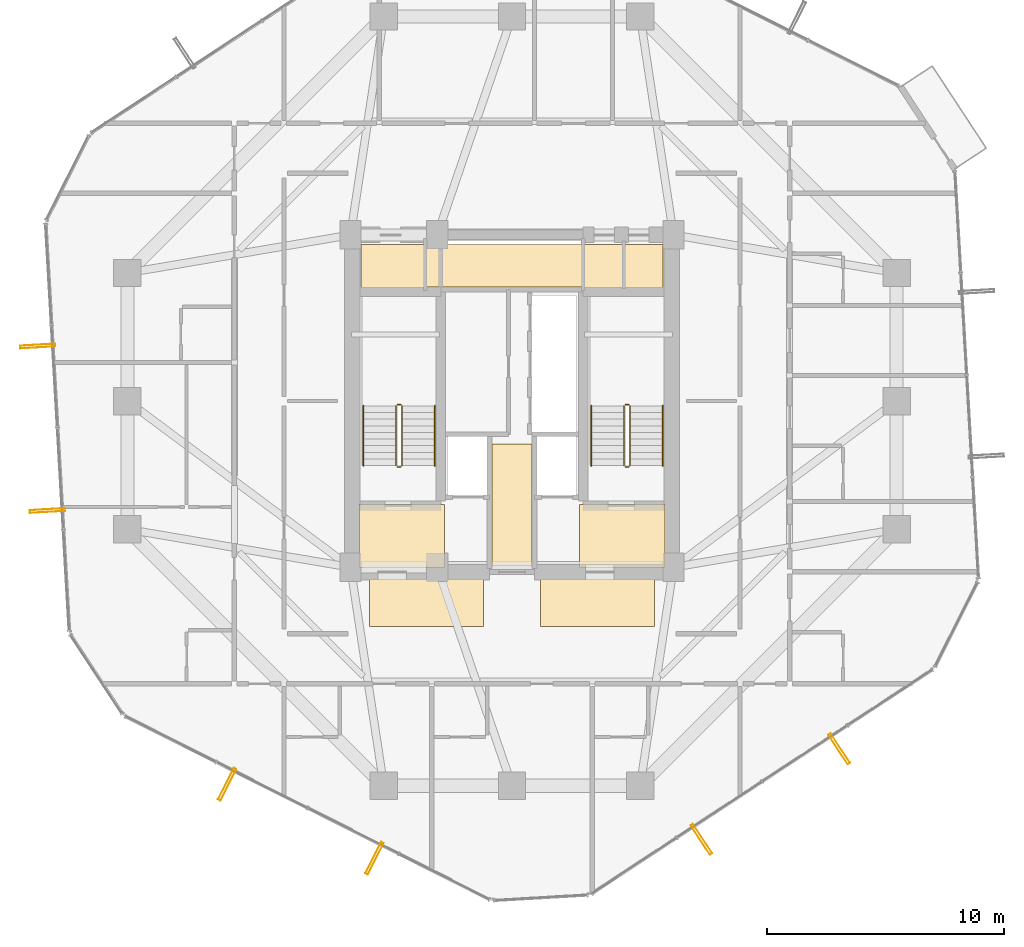
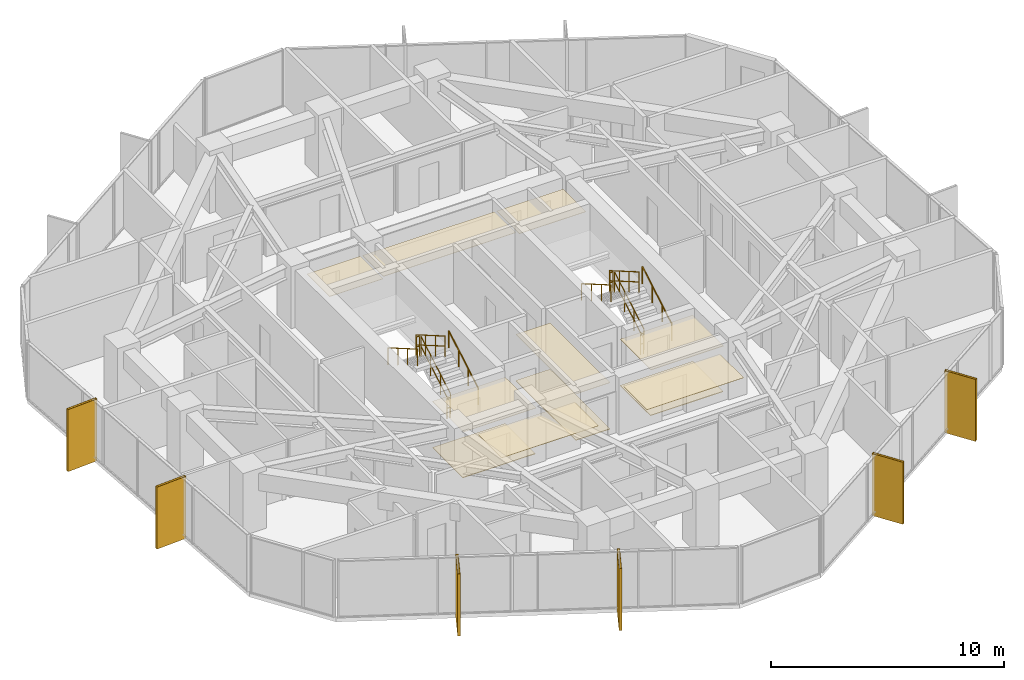
# One storey, part 32 of 33: 12 railings, 11 coverings, 6 shading devices.
"""IFC4 building model written with IfcOpenShell, lengths in metres."""

from ifc_helpers import new_model, si_unit, direction, frame, origin, origin_2d, place, context, subcontext, project, spatial, polyline, hollow_rectangle, circle, outline, extrude, material, layer, layer_set, material_profile, profile_set, type_object, element, save


model = new_model("IFC4")

# Units and contexts
model_context = context("Model", 3, precision=1e-05, world=origin(), true_north=direction((0.0, 1.0)))
body_context = subcontext(model_context, "Body", "Model", "MODEL_VIEW")
ifc_project = project(units=[si_unit("LENGTHUNIT", "METRE"), si_unit("AREAUNIT", "SQUARE_METRE"), si_unit("VOLUMEUNIT", "CUBIC_METRE"), si_unit("PLANEANGLEUNIT", "RADIAN"), si_unit("MASSUNIT", "GRAM", prefix="KILO")], contexts=[model_context])

# Site, building, storey
site_placement = place(None, origin())
site = spatial("IfcSite", under=ifc_project, at=site_placement, CompositionType="ELEMENT")
building_placement = place(site_placement, origin())
building = spatial("IfcBuilding", under=site, at=building_placement, Name="Veraguas Prism Commons", CompositionType="ELEMENT")
storey_placement = place(building_placement, frame((0.0, 0.0, 139.25)))
storey = spatial("IfcBuildingStorey", under=building, at=storey_placement, Name="L39", CompositionType="ELEMENT", Elevation=139.25)

# Shading devices
ifc_material_1 = material(Name="Anodised aluminium EN AW-6063 T6", Category="aluminium")
ifc_material_profile = material_profile(ifc_material_1, hollow_rectangle(XDim=0.1201171875, YDim=1.489990234375, WallThickness=0.006103515625, at=origin_2d()), Name="FIN120X1490X6")
ifc_profile_set = profile_set([ifc_material_profile], Name="Anodised aluminium EN AW-6063 T6")
shading_device_type = type_object("IfcShadingDeviceType", Name="Deep Pale-Metal Vertical Solar Fin 120x1490", PredefinedType="USERDEFINED", material=ifc_profile_set)
for number, where, z_axis, x_axis, name in (
    (1, (4.024658203125, 26.31787109375, -0.22998046875), (0.0, 0.0, 1.0), (0.057910768081, -0.998321763231, 0.0), "Vertical Pale-Metal Solar Fin L39-F3A"),
    (2, (4.4267578125, 19.387939453125, -0.22998046875), (0.0, 0.0, 1.0), (0.057910768081, -0.998321763231, 0.0), "Vertical Pale-Metal Solar Fin L39-F3B"),
    (3, (12.0048828125, 7.860107421875, -0.22998046875), (0.0, 0.0, 1.0), (0.893527392149, -0.449008685305, 0.0), "Vertical Pale-Metal Solar Fin L39-F4A"),
    (4, (18.207763671875, 4.742919921875, -0.22998046875), (0.0, 0.0, 1.0), (0.893527392149, -0.449008685305, 0.0), "Vertical Pale-Metal Solar Fin L39-F4B"),
    (5, (31.980224609375, 5.5419921875, -0.22998046875), (0.0, 0.0, 1.0), (0.835616624068, 0.549313077926, 0.0), "Vertical Pale-Metal Solar Fin L39-F5A"),
    (6, (37.78076171875, 9.35498046875, -0.22998046875), (0.0, 0.0, 1.0), (0.835616624068, 0.549313077926, 0.0), "Vertical Pale-Metal Solar Fin L39-F5B"),
):
    element("IfcShadingDevice", number, at=place(storey_placement, frame(where, z_axis=z_axis, x_axis=x_axis)), inside=storey, type_object=shading_device_type, Name=name, ObjectType="FIN", PredefinedType="USERDEFINED", context=body_context, shape_type="SweptSolid", body=[
        extrude(hollow_rectangle(XDim=0.1201171875, YDim=1.489990234375, WallThickness=0.006103515625, at=origin_2d()), origin(), (0.0, 0.0, 1.0), 3.25),
    ])

# Coverings
ifc_material_2 = material(Name="Acoustic gypsum board")
ifc_layer_1 = layer(ifc_material_2, 0.02490234375, Name="Perforated Acoustic Ceiling Tile 25")
ifc_layer_set_1 = layer_set([ifc_layer_1], Name="Acoustic gypsum board")
covering_type_1 = type_object("IfcCoveringType", Name="Perforated Acoustic Ceiling Tile 25", PredefinedType="USERDEFINED", material=ifc_layer_set_1)
covering_1_placement = place(storey_placement, frame((0.0, 0.0, 2.425048828125)))
element("IfcCovering", 7, at=covering_1_placement, inside=storey, type_object=covering_type_1, Name="East Lobby Acoustic Ceiling L39", ObjectType="ACOUSTIC CEILING", PredefinedType="USERDEFINED", context=body_context, shape_type="SweptSolid", body=[
    extrude(outline(polyline([(26.85009765625, 17.0), (30.449951171875, 17.0), (30.449951171875, 19.64990234375), (26.85009765625, 19.64990234375), (26.85009765625, 17.0)])), origin(), (0.0, 0.0, 1.0), 0.02490234375),
])
ifc_material_3 = material(Name="Terrazzo stone finish", Category="masonry")
ifc_layer_2 = layer(ifc_material_3, 0.030029296875, Name="Polished Terrazzo Floor Finish 30", Category="masonry")
ifc_layer_set_2 = layer_set([ifc_layer_2], Name="Terrazzo stone finish")
covering_type_2 = type_object("IfcCoveringType", Name="Polished Terrazzo Floor Finish 30", PredefinedType="FLOORING", material=ifc_layer_set_2)
covering_2_placement = place(storey_placement, origin())
element("IfcCovering", 8, at=covering_2_placement, inside=storey, type_object=covering_type_2, Name="Terrazzo Lobby Flooring L39", PredefinedType="FLOORING", context=body_context, shape_type="SweptSolid", body=[
    extrude(outline(polyline([(23.14990234375, 17.050048828125), (24.85009765625, 17.050048828125), (24.85009765625, 22.199951171875), (23.14990234375, 22.199951171875), (23.14990234375, 17.050048828125)])), origin(), (0.0, 0.0, 1.0), 0.030029296875),
])
covering_3_placement = place(storey_placement, origin())
element("IfcCovering", 9, at=covering_3_placement, inside=storey, type_object=covering_type_2, Name="West FF Lobby Terrazzo Flooring L39", PredefinedType="FLOORING", context=body_context, shape_type="SweptSolid", body=[
    extrude(outline(polyline([(17.550048828125, 17.050048828125), (21.14990234375, 17.050048828125), (21.14990234375, 19.64990234375), (17.550048828125, 19.64990234375), (17.550048828125, 17.050048828125)])), origin(), (0.0, 0.0, 1.0), 0.030029296875),
])
covering_4_placement = place(storey_placement, origin())
element("IfcCovering", 10, at=covering_4_placement, inside=storey, type_object=covering_type_2, Name="East FF Lobby Terrazzo Flooring L39", PredefinedType="FLOORING", context=body_context, shape_type="SweptSolid", body=[
    extrude(outline(polyline([(26.85009765625, 17.050048828125), (30.449951171875, 17.050048828125), (30.449951171875, 19.64990234375), (26.85009765625, 19.64990234375), (26.85009765625, 17.050048828125)])), origin(), (0.0, 0.0, 1.0), 0.030029296875),
])

# Railings
ifc_material_4 = material(Name="Stainless steel AISI 316", Category="steel")
railing_type_1 = type_object("IfcRailingType", Name="Stair and Ramp Stainless Handrail 900", PredefinedType="HANDRAIL", material=ifc_material_4)
railing_1_placement = place(storey_placement, frame((20.75, 21.280029296875, 0.16259765625)))
element("IfcRailing", 11, at=railing_1_placement, inside=storey, type_object=railing_type_1, Name="Stair Handrail ST-01 L39-1", PredefinedType="HANDRAIL", context=body_context, shape_type="SweptSolid", body=[
    extrude(circle(Radius=0.02392578125, at=origin_2d()), frame((0.0, 0.0, 0.8759765625), z_axis=(0.0, 0.864913338283, 0.50192122615), x_axis=(-1.0, 0.0, 0.0)), (0.0, 0.0, 1.0), 2.91357421875),
    extrude(circle(Radius=0.02099609375, at=origin_2d()), origin(), (0.0, 0.0, 1.0), 0.851806640625),
    extrude(circle(Radius=0.02099609375, at=origin_2d()), frame((0.0, 0.840087890625, 0.487548828125)), (0.0, 0.0, 1.0), 0.851806640625),
    extrude(circle(Radius=0.02099609375, at=origin_2d()), frame((0.0, 1.679931640625, 0.974853515625)), (0.0, 0.0, 1.0), 0.851806640625),
    extrude(circle(Radius=0.02099609375, at=origin_2d()), frame((0.0, 2.52001953125, 1.46240234375)), (0.0, 0.0, 1.0), 0.851806640625),
])
railing_2_placement = place(storey_placement, frame((17.739990234375, 23.800048828125, 1.78759765625)))
element("IfcRailing", 12, at=railing_2_placement, inside=storey, type_object=railing_type_1, Name="Stair Handrail ST-01 L39-2", PredefinedType="HANDRAIL", context=body_context, shape_type="SweptSolid", body=[
    extrude(circle(Radius=0.02392578125, at=origin_2d()), frame((0.0, 0.0, 0.8759765625), z_axis=(0.0, -0.864913338283, 0.50192122615), x_axis=(1.0, 0.0, 0.0)), (0.0, 0.0, 1.0), 2.91357421875),
    extrude(circle(Radius=0.02099609375, at=origin_2d()), origin(), (0.0, 0.0, 1.0), 0.851806640625),
    extrude(circle(Radius=0.02099609375, at=origin_2d()), frame((0.0, -0.840087890625, 0.487548828125)), (0.0, 0.0, 1.0), 0.851806640625),
    extrude(circle(Radius=0.02099609375, at=origin_2d()), frame((0.0, -1.679931640625, 0.974853515625)), (0.0, 0.0, 1.0), 0.851806640625),
    extrude(circle(Radius=0.02099609375, at=origin_2d()), frame((0.0, -2.52001953125, 1.46240234375)), (0.0, 0.0, 1.0), 0.851806640625),
])
railing_3_placement = place(storey_placement, frame((30.35009765625, 21.280029296875, 0.16259765625)))
element("IfcRailing", 13, at=railing_3_placement, inside=storey, type_object=railing_type_1, Name="Stair Handrail ST-02 L39-1", PredefinedType="HANDRAIL", context=body_context, shape_type="SweptSolid", body=[
    extrude(circle(Radius=0.02392578125, at=origin_2d()), frame((0.0, 0.0, 0.8759765625), z_axis=(0.0, 0.864913338283, 0.50192122615), x_axis=(-1.0, 0.0, 0.0)), (0.0, 0.0, 1.0), 2.91357421875),
    extrude(circle(Radius=0.02099609375, at=origin_2d()), origin(), (0.0, 0.0, 1.0), 0.851806640625),
    extrude(circle(Radius=0.02099609375, at=origin_2d()), frame((0.0, 0.840087890625, 0.487548828125)), (0.0, 0.0, 1.0), 0.851806640625),
    extrude(circle(Radius=0.02099609375, at=origin_2d()), frame((0.0, 1.679931640625, 0.974853515625)), (0.0, 0.0, 1.0), 0.851806640625),
    extrude(circle(Radius=0.02099609375, at=origin_2d()), frame((0.0, 2.52001953125, 1.46240234375)), (0.0, 0.0, 1.0), 0.851806640625),
])
railing_4_placement = place(storey_placement, frame((27.340087890625, 23.800048828125, 1.78759765625)))
element("IfcRailing", 14, at=railing_4_placement, inside=storey, type_object=railing_type_1, Name="Stair Handrail ST-02 L39-2", PredefinedType="HANDRAIL", context=body_context, shape_type="SweptSolid", body=[
    extrude(circle(Radius=0.02392578125, at=origin_2d()), frame((0.0, 0.0, 0.8759765625), z_axis=(0.0, -0.864913338283, 0.50192122615), x_axis=(1.0, 0.0, 0.0)), (0.0, 0.0, 1.0), 2.91357421875),
    extrude(circle(Radius=0.02099609375, at=origin_2d()), origin(), (0.0, 0.0, 1.0), 0.851806640625),
    extrude(circle(Radius=0.02099609375, at=origin_2d()), frame((0.0, -0.840087890625, 0.487548828125)), (0.0, 0.0, 1.0), 0.851806640625),
    extrude(circle(Radius=0.02099609375, at=origin_2d()), frame((0.0, -1.679931640625, 0.974853515625)), (0.0, 0.0, 1.0), 0.851806640625),
    extrude(circle(Radius=0.02099609375, at=origin_2d()), frame((0.0, -2.52001953125, 1.46240234375)), (0.0, 0.0, 1.0), 0.851806640625),
])
railing_type_2 = type_object("IfcRailingType", Name="Stairwell Safety Guardrail 1100", PredefinedType="GUARDRAIL", material=ifc_material_4)
railing_5_placement = place(storey_placement, frame((19.3701171875, 21.280029296875, 0.16259765625)))
element("IfcRailing", 15, at=railing_5_placement, inside=storey, type_object=railing_type_2, Name="Stair Guard ST-01 L39-1", PredefinedType="GUARDRAIL", context=body_context, shape_type="SweptSolid", body=[
    extrude(circle(Radius=0.02392578125, at=origin_2d()), frame((0.0, 0.0, 1.076171875), z_axis=(0.0, 0.864913338283, 0.50192122615), x_axis=(-1.0, 0.0, 0.0)), (0.0, 0.0, 1.0), 2.91357421875),
    extrude(circle(Radius=0.02392578125, at=origin_2d()), frame((0.0, 0.0, 0.550048828125), z_axis=(0.0, 0.864913338283, 0.50192122615), x_axis=(-1.0, 0.0, 0.0)), (0.0, 0.0, 1.0), 2.91357421875),
    extrude(circle(Radius=0.02099609375, at=origin_2d()), origin(), (0.0, 0.0, 1.0), 1.052001953125),
    extrude(circle(Radius=0.02099609375, at=origin_2d()), frame((0.0, 0.840087890625, 0.487548828125)), (0.0, 0.0, 1.0), 1.052001953125),
    extrude(circle(Radius=0.02099609375, at=origin_2d()), frame((0.0, 1.679931640625, 0.974853515625)), (0.0, 0.0, 1.0), 1.052001953125),
    extrude(circle(Radius=0.02099609375, at=origin_2d()), frame((0.0, 2.52001953125, 1.46240234375)), (0.0, 0.0, 1.0), 1.052001953125),
])
railing_6_placement = place(storey_placement, frame((19.320068359375, 23.85009765625, 1.625)))
element("IfcRailing", 16, at=railing_6_placement, inside=storey, type_object=railing_type_2, Name="Stair Guard ST-01 L39-2", PredefinedType="GUARDRAIL", context=body_context, shape_type="SweptSolid", body=[
    extrude(circle(Radius=0.02392578125, at=origin_2d()), frame((0.0, 0.0, 1.076171875), z_axis=(-1.0, 0.0, 0.0), x_axis=(0.0, -1.0, 0.0)), (0.0, 0.0, 1.0), 0.150146484375),
    extrude(circle(Radius=0.02392578125, at=origin_2d()), frame((0.0, 0.0, 0.550048828125), z_axis=(-1.0, 0.0, 0.0), x_axis=(0.0, -1.0, 0.0)), (0.0, 0.0, 1.0), 0.150146484375),
    extrude(circle(Radius=0.02099609375, at=origin_2d()), origin(), (0.0, 0.0, 1.0), 1.052001953125),
    extrude(circle(Radius=0.02099609375, at=origin_2d()), frame((-0.150146484375, 0.0, 0.0)), (0.0, 0.0, 1.0), 1.052001953125),
])
railing_7_placement = place(storey_placement, frame((19.1201171875, 23.800048828125, 1.78759765625)))
element("IfcRailing", 17, at=railing_7_placement, inside=storey, type_object=railing_type_2, Name="Stair Guard ST-01 L39-3", PredefinedType="GUARDRAIL", context=body_context, shape_type="SweptSolid", body=[
    extrude(circle(Radius=0.02392578125, at=origin_2d()), frame((0.0, 0.0, 1.076171875), z_axis=(0.0, -0.864913338283, 0.50192122615), x_axis=(1.0, 0.0, 0.0)), (0.0, 0.0, 1.0), 2.91357421875),
    extrude(circle(Radius=0.02392578125, at=origin_2d()), frame((0.0, 0.0, 0.550048828125), z_axis=(0.0, -0.864913338283, 0.50192122615), x_axis=(1.0, 0.0, 0.0)), (0.0, 0.0, 1.0), 2.91357421875),
    extrude(circle(Radius=0.02099609375, at=origin_2d()), origin(), (0.0, 0.0, 1.0), 1.052001953125),
    extrude(circle(Radius=0.02099609375, at=origin_2d()), frame((0.0, -0.840087890625, 0.487548828125)), (0.0, 0.0, 1.0), 1.052001953125),
    extrude(circle(Radius=0.02099609375, at=origin_2d()), frame((0.0, -1.679931640625, 0.974853515625)), (0.0, 0.0, 1.0), 1.052001953125),
    extrude(circle(Radius=0.02099609375, at=origin_2d()), frame((0.0, -2.52001953125, 1.46240234375)), (0.0, 0.0, 1.0), 1.052001953125),
])
railing_8_placement = place(storey_placement, frame((19.320068359375, 21.22998046875, 0.0)))
element("IfcRailing", 18, at=railing_8_placement, inside=storey, type_object=railing_type_2, Name="Stair Guard ST-01 L39-4", PredefinedType="GUARDRAIL", context=body_context, shape_type="SweptSolid", body=[
    extrude(circle(Radius=0.02392578125, at=origin_2d()), frame((0.0, 0.0, 1.076171875), z_axis=(-1.0, 0.0, 0.0), x_axis=(0.0, -1.0, 0.0)), (0.0, 0.0, 1.0), 0.150146484375),
    extrude(circle(Radius=0.02392578125, at=origin_2d()), frame((0.0, 0.0, 0.550048828125), z_axis=(-1.0, 0.0, 0.0), x_axis=(0.0, -1.0, 0.0)), (0.0, 0.0, 1.0), 0.150146484375),
    extrude(circle(Radius=0.02099609375, at=origin_2d()), origin(), (0.0, 0.0, 1.0), 1.052001953125),
    extrude(circle(Radius=0.02099609375, at=origin_2d()), frame((-0.150146484375, 0.0, 0.0)), (0.0, 0.0, 1.0), 1.052001953125),
])
railing_9_placement = place(storey_placement, frame((28.969970703125, 21.280029296875, 0.16259765625)))
element("IfcRailing", 19, at=railing_9_placement, inside=storey, type_object=railing_type_2, Name="Stair Guard ST-02 L39-1", PredefinedType="GUARDRAIL", context=body_context, shape_type="SweptSolid", body=[
    extrude(circle(Radius=0.02392578125, at=origin_2d()), frame((0.0, 0.0, 1.076171875), z_axis=(0.0, 0.864913338283, 0.50192122615), x_axis=(-1.0, 0.0, 0.0)), (0.0, 0.0, 1.0), 2.91357421875),
    extrude(circle(Radius=0.02392578125, at=origin_2d()), frame((0.0, 0.0, 0.550048828125), z_axis=(0.0, 0.864913338283, 0.50192122615), x_axis=(-1.0, 0.0, 0.0)), (0.0, 0.0, 1.0), 2.91357421875),
    extrude(circle(Radius=0.02099609375, at=origin_2d()), origin(), (0.0, 0.0, 1.0), 1.052001953125),
    extrude(circle(Radius=0.02099609375, at=origin_2d()), frame((0.0, 0.840087890625, 0.487548828125)), (0.0, 0.0, 1.0), 1.052001953125),
    extrude(circle(Radius=0.02099609375, at=origin_2d()), frame((0.0, 1.679931640625, 0.974853515625)), (0.0, 0.0, 1.0), 1.052001953125),
    extrude(circle(Radius=0.02099609375, at=origin_2d()), frame((0.0, 2.52001953125, 1.46240234375)), (0.0, 0.0, 1.0), 1.052001953125),
])
railing_10_placement = place(storey_placement, frame((28.919921875, 23.85009765625, 1.625)))
element("IfcRailing", 20, at=railing_10_placement, inside=storey, type_object=railing_type_2, Name="Stair Guard ST-02 L39-2", PredefinedType="GUARDRAIL", context=body_context, shape_type="SweptSolid", body=[
    extrude(circle(Radius=0.02392578125, at=origin_2d()), frame((0.0, 0.0, 1.076171875), z_axis=(-1.0, 0.0, 0.0), x_axis=(0.0, -1.0, 0.0)), (0.0, 0.0, 1.0), 0.14990234375),
    extrude(circle(Radius=0.02392578125, at=origin_2d()), frame((0.0, 0.0, 0.550048828125), z_axis=(-1.0, 0.0, 0.0), x_axis=(0.0, -1.0, 0.0)), (0.0, 0.0, 1.0), 0.14990234375),
    extrude(circle(Radius=0.02099609375, at=origin_2d()), origin(), (0.0, 0.0, 1.0), 1.052001953125),
    extrude(circle(Radius=0.02099609375, at=origin_2d()), frame((-0.14990234375, 0.0, 0.0)), (0.0, 0.0, 1.0), 1.052001953125),
])
railing_11_placement = place(storey_placement, frame((28.719970703125, 23.800048828125, 1.78759765625)))
element("IfcRailing", 21, at=railing_11_placement, inside=storey, type_object=railing_type_2, Name="Stair Guard ST-02 L39-3", PredefinedType="GUARDRAIL", context=body_context, shape_type="SweptSolid", body=[
    extrude(circle(Radius=0.02392578125, at=origin_2d()), frame((0.0, 0.0, 1.076171875), z_axis=(0.0, -0.864913338283, 0.50192122615), x_axis=(1.0, 0.0, 0.0)), (0.0, 0.0, 1.0), 2.91357421875),
    extrude(circle(Radius=0.02392578125, at=origin_2d()), frame((0.0, 0.0, 0.550048828125), z_axis=(0.0, -0.864913338283, 0.50192122615), x_axis=(1.0, 0.0, 0.0)), (0.0, 0.0, 1.0), 2.91357421875),
    extrude(circle(Radius=0.02099609375, at=origin_2d()), origin(), (0.0, 0.0, 1.0), 1.052001953125),
    extrude(circle(Radius=0.02099609375, at=origin_2d()), frame((0.0, -0.840087890625, 0.487548828125)), (0.0, 0.0, 1.0), 1.052001953125),
    extrude(circle(Radius=0.02099609375, at=origin_2d()), frame((0.0, -1.679931640625, 0.974853515625)), (0.0, 0.0, 1.0), 1.052001953125),
    extrude(circle(Radius=0.02099609375, at=origin_2d()), frame((0.0, -2.52001953125, 1.46240234375)), (0.0, 0.0, 1.0), 1.052001953125),
])
railing_12_placement = place(storey_placement, frame((28.919921875, 21.22998046875, 0.0)))
element("IfcRailing", 22, at=railing_12_placement, inside=storey, type_object=railing_type_2, Name="Stair Guard ST-02 L39-4", PredefinedType="GUARDRAIL", context=body_context, shape_type="SweptSolid", body=[
    extrude(circle(Radius=0.02392578125, at=origin_2d()), frame((0.0, 0.0, 1.076171875), z_axis=(-1.0, 0.0, 0.0), x_axis=(0.0, -1.0, 0.0)), (0.0, 0.0, 1.0), 0.14990234375),
    extrude(circle(Radius=0.02392578125, at=origin_2d()), frame((0.0, 0.0, 0.550048828125), z_axis=(-1.0, 0.0, 0.0), x_axis=(0.0, -1.0, 0.0)), (0.0, 0.0, 1.0), 0.14990234375),
    extrude(circle(Radius=0.02099609375, at=origin_2d()), origin(), (0.0, 0.0, 1.0), 1.052001953125),
    extrude(circle(Radius=0.02099609375, at=origin_2d()), frame((-0.14990234375, 0.0, 0.0)), (0.0, 0.0, 1.0), 1.052001953125),
])

# Coverings
ifc_layer_3 = layer(ifc_material_2, 0.02001953125, Name="Suspended Gypsum Ceiling 20")
ifc_layer_set_3 = layer_set([ifc_layer_3], Name="Acoustic gypsum board")
covering_type_3 = type_object("IfcCoveringType", Name="Suspended Gypsum Ceiling 20", PredefinedType="CEILING", material=ifc_layer_set_3)
covering_5_placement = place(storey_placement, frame((0.0, 0.0, 2.429931640625)))
element("IfcCovering", 23, at=covering_5_placement, inside=storey, type_object=covering_type_3, Name="West Lobby Suspended Gypsum Ceiling L39", PredefinedType="CEILING", context=body_context, shape_type="SweptSolid", body=[
    extrude(outline(polyline([(17.550048828125, 17.0), (21.14990234375, 17.0), (21.14990234375, 19.64990234375), (17.550048828125, 19.64990234375), (17.550048828125, 17.0)])), origin(), (0.0, 0.0, 1.0), 0.02001953125),
])
covering_6_placement = place(storey_placement, frame((0.0, 0.0, 2.429931640625)))
element("IfcCovering", 24, at=covering_6_placement, inside=storey, type_object=covering_type_3, Name="Core Lobby Acoustic Ceiling L39-1", PredefinedType="CEILING", context=body_context, shape_type="SweptSolid", body=[
    extrude(outline(polyline([(18.0, 14.5), (22.800048828125, 14.5), (22.800048828125, 16.550048828125), (18.0, 16.550048828125), (18.0, 14.5)])), origin(), (0.0, 0.0, 1.0), 0.02001953125),
])
covering_7_placement = place(storey_placement, frame((0.0, 0.0, 2.429931640625)))
element("IfcCovering", 25, at=covering_7_placement, inside=storey, type_object=covering_type_3, Name="Core Lobby Acoustic Ceiling L39-2", PredefinedType="CEILING", context=body_context, shape_type="SweptSolid", body=[
    extrude(outline(polyline([(25.199951171875, 14.5), (30.0, 14.5), (30.0, 16.550048828125), (25.199951171875, 16.550048828125), (25.199951171875, 14.5)])), origin(), (0.0, 0.0, 1.0), 0.02001953125),
])
covering_8_placement = place(storey_placement, frame((0.0, 0.0, 2.429931640625)))
element("IfcCovering", 26, at=covering_8_placement, inside=storey, type_object=covering_type_3, Name="Core Lobby Acoustic Ceiling L39-3", PredefinedType="CEILING", context=body_context, shape_type="SweptSolid", body=[
    extrude(outline(polyline([(23.14990234375, 17.050048828125), (24.85009765625, 17.050048828125), (24.85009765625, 22.199951171875), (23.14990234375, 22.199951171875), (23.14990234375, 17.050048828125)])), origin(), (0.0, 0.0, 1.0), 0.02001953125),
])
covering_9_placement = place(storey_placement, frame((0.0, 0.0, 2.429931640625)))
element("IfcCovering", 27, at=covering_9_placement, inside=storey, type_object=covering_type_3, Name="Core Lobby Acoustic Ceiling L39-4", PredefinedType="CEILING", context=body_context, shape_type="SweptSolid", body=[
    extrude(outline(polyline([(17.64990234375, 28.64990234375), (20.300048828125, 28.64990234375), (20.300048828125, 30.60009765625), (17.64990234375, 30.60009765625), (17.64990234375, 28.64990234375)])), origin(), (0.0, 0.0, 1.0), 0.02001953125),
])
covering_10_placement = place(storey_placement, frame((0.0, 0.0, 2.429931640625)))
element("IfcCovering", 28, at=covering_10_placement, inside=storey, type_object=covering_type_3, Name="Core Lobby Acoustic Ceiling L39-5", PredefinedType="CEILING", context=body_context, shape_type="SweptSolid", body=[
    extrude(outline(polyline([(27.050048828125, 28.64990234375), (30.35009765625, 28.64990234375), (30.35009765625, 30.60009765625), (27.050048828125, 30.60009765625), (27.050048828125, 28.64990234375)])), origin(), (0.0, 0.0, 1.0), 0.02001953125),
])
covering_11_placement = place(storey_placement, frame((0.0, 0.0, 2.429931640625)))
element("IfcCovering", 29, at=covering_11_placement, inside=storey, type_object=covering_type_3, Name="Core Lobby Acoustic Ceiling L39-6", PredefinedType="CEILING", context=body_context, shape_type="SweptSolid", body=[
    extrude(outline(polyline([(20.39990234375, 28.800048828125), (26.949951171875, 28.800048828125), (26.949951171875, 30.60009765625), (20.39990234375, 30.60009765625), (20.39990234375, 28.800048828125)])), origin(), (0.0, 0.0, 1.0), 0.02001953125),
])

save(model, "model.ifc")
